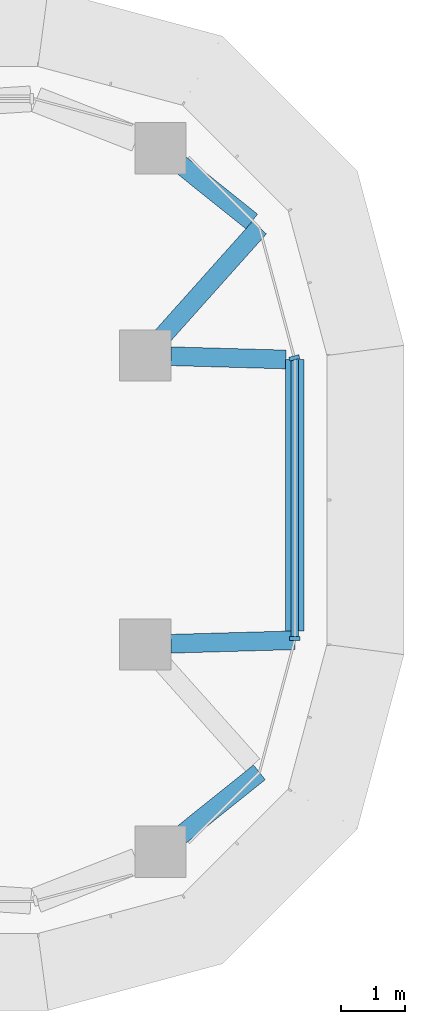
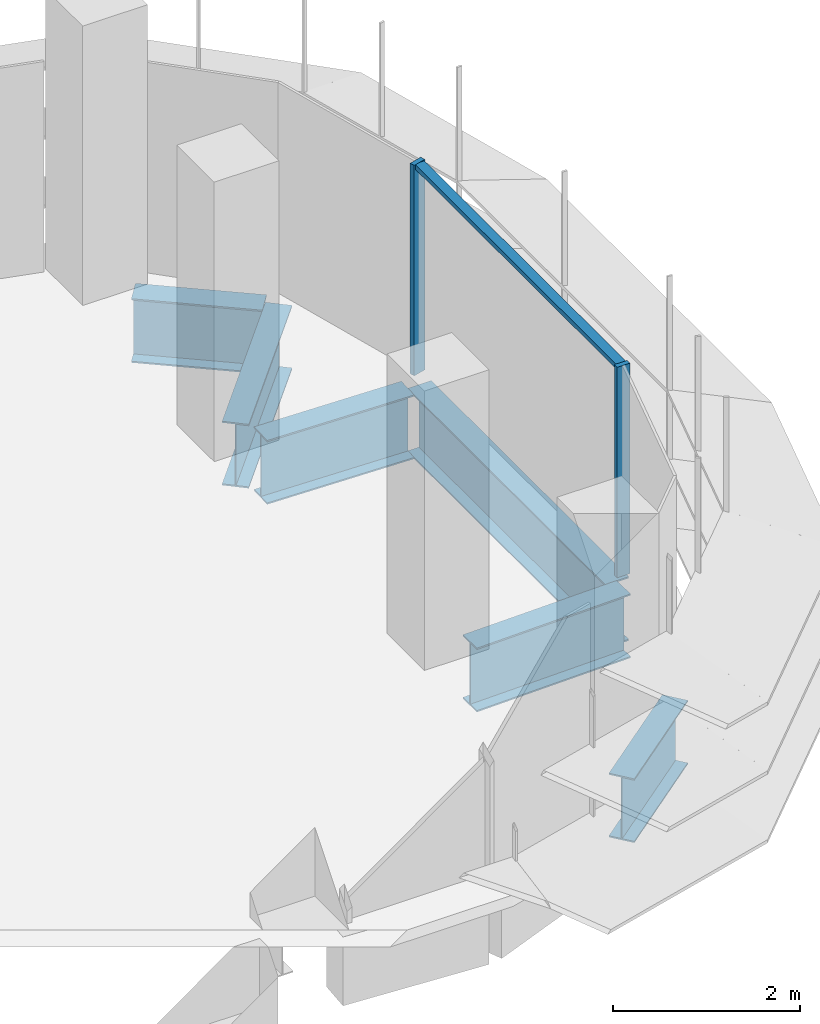
# One storey, part 10 of 20: 6 beams, 3 members, 2 elements without a shape of their own.
"""IFC4 building model written with IfcOpenShell, lengths in metres."""

from ifc_helpers import new_model, si_unit, direction, frame, origin, origin_2d, place, context, subcontext, project, spatial, polyline, i_section, outline, extrude, source, transform, mapped, material, material_profile, profile_set, type_object, element, aggregate, save


model = new_model("IFC4")

# Units and contexts
model_context = context("Model", 3, precision=1e-05, world=origin(), true_north=direction((0.0, 1.0)))
body_context = subcontext(model_context, "Body", "Model", "MODEL_VIEW")
ifc_project = project(units=[si_unit("LENGTHUNIT", "METRE"), si_unit("AREAUNIT", "SQUARE_METRE"), si_unit("VOLUMEUNIT", "CUBIC_METRE"), si_unit("PLANEANGLEUNIT", "RADIAN"), si_unit("MASSUNIT", "GRAM", prefix="KILO")], contexts=[model_context])

# Site, building, storey
site_placement = place(None, origin())
site = spatial("IfcSite", under=ifc_project, at=site_placement, CompositionType="ELEMENT")
building_placement = place(site_placement, origin())
building = spatial("IfcBuilding", under=site, at=building_placement, Name="Zarbagh Exchange Tower", CompositionType="ELEMENT")
storey_placement = place(building_placement, frame((0.0, 0.0, 163.800048828125)))
storey = spatial("IfcBuildingStorey", under=building, at=storey_placement, Name="L39", CompositionType="ELEMENT", Elevation=163.800048828125)

# Beams
ifc_material_1 = material(Name="Steel ASTM A992 Gr 50", Category="steel")
ifc_material_profile = material_profile(ifc_material_1, i_section(OverallWidth=0.2919921875, OverallDepth=0.835693359375, WebThickness=0.013916015625, FlangeThickness=0.018798828125, at=origin_2d()), Name="W33X118")
ifc_profile_set = profile_set([ifc_material_profile], Name="Steel ASTM A992 Gr 50")
beam_type = type_object("IfcBeamType", Name="Floor girder W33X118", PredefinedType="BEAM", material=ifc_profile_set)
beam_1_placement = place(storey_placement, frame((29.22021484375, 5.22509765625, -0.56787109375), z_axis=(0.780533236132, -0.625114283387, 0.0), x_axis=(0.625114283387, 0.780533236132, 0.0)))
element("IfcBeam", 1, at=beam_1_placement, inside=storey, type_object=beam_type, Name="Steel girder", PredefinedType="BEAM", context=body_context, shape_type="SweptSolid", body=[
    extrude(i_section(OverallWidth=0.2919921875, OverallDepth=0.835693359375, WebThickness=0.013916015625, FlangeThickness=0.018798828125, at=origin_2d()), origin(), (0.0, 0.0, 1.0), 1.420166015625),
])
beam_2_placement = place(storey_placement, frame((30.44873046875, 4.2412109375, -0.56787109375), z_axis=(-0.666191013206, -0.745781156857, 0.0), x_axis=(0.745781156857, -0.666191013206, 0.0)))
element("IfcBeam", 2, at=beam_2_placement, inside=storey, type_object=beam_type, Name="Steel girder", PredefinedType="BEAM", context=body_context, shape_type="SweptSolid", body=[
    extrude(i_section(OverallWidth=0.2919921875, OverallDepth=0.835693359375, WebThickness=0.013916015625, FlangeThickness=0.018798828125, at=origin_2d()), origin(), (0.0, 0.0, 1.0), 2.27001953125),
])
beam_3_placement = place(storey_placement, frame((29.06982421875, 2.23876953125, -0.56787109375), z_axis=(0.999600942558, -0.028248108547, 0.0), x_axis=(0.028248108547, 0.999600942558, 0.0)))
element("IfcBeam", 3, at=beam_3_placement, inside=storey, type_object=beam_type, Name="Steel girder", PredefinedType="BEAM", context=body_context, shape_type="SweptSolid", body=[
    extrude(i_section(OverallWidth=0.2919921875, OverallDepth=0.835693359375, WebThickness=0.013916015625, FlangeThickness=0.018798828125, at=origin_2d()), origin(), (0.0, 0.0, 1.0), 1.7890625),
])
beam_4_placement = place(storey_placement, frame((31.0, 2.18408203125, -0.56787109375), z_axis=(0.0, -1.0, 0.0), x_axis=(1.0, 0.0, 0.0)))
element("IfcBeam", 4, at=beam_4_placement, inside=storey, type_object=beam_type, Name="Steel girder", PredefinedType="BEAM", context=body_context, shape_type="SweptSolid", body=[
    extrude(i_section(OverallWidth=0.2919921875, OverallDepth=0.835693359375, WebThickness=0.013916015625, FlangeThickness=0.018798828125, at=origin_2d()), origin(), (0.0, 0.0, 1.0), 4.226318359375),
])
beam_5_placement = place(storey_placement, frame((31.0, -2.18408203125, -0.56787109375), z_axis=(-0.999598864551, -0.028321546377, 0.0), x_axis=(0.028321546377, -0.999598864551, 0.0)))
element("IfcBeam", 5, at=beam_5_placement, inside=storey, type_object=beam_type, Name="Steel girder", PredefinedType="BEAM", context=body_context, shape_type="SweptSolid", body=[
    extrude(i_section(OverallWidth=0.2919921875, OverallDepth=0.835693359375, WebThickness=0.013916015625, FlangeThickness=0.018798828125, at=origin_2d()), origin(), (0.0, 0.0, 1.0), 1.930908203125),
])
beam_6_placement = place(storey_placement, frame((30.44873046875, -4.2412109375, -0.56787109375), z_axis=(-0.780535770033, -0.625111119482, 0.0), x_axis=(0.625111119482, -0.780535770033, 0.0)))
element("IfcBeam", 6, at=beam_6_placement, inside=storey, type_object=beam_type, Name="Steel girder", PredefinedType="BEAM", context=body_context, shape_type="SweptSolid", body=[
    extrude(i_section(OverallWidth=0.2919921875, OverallDepth=0.835693359375, WebThickness=0.013916015625, FlangeThickness=0.018798828125, at=origin_2d()), origin(), (0.0, 0.0, 1.0), 1.573974609375),
])

# Curtain wall, member
ifc_material_2 = material(Name="Anodised aluminium frame and glazing", Category="aluminium")
curtain_wall_type = type_object("IfcCurtainWallType", Name="CWB Ribbon glazing, upper zones", PredefinedType="NOTDEFINED", material=ifc_material_2)
curtain_wall_1_placement = place(storey_placement, origin())
curtain_wall_1 = element("IfcCurtainWall", 7, at=curtain_wall_1_placement, inside=storey, type_object=curtain_wall_type, Name="CWB12 curtain wall", PredefinedType="NOTDEFINED")
ifc_material_3 = material(Name="Anodised aluminium frame", Category="aluminium")
member_type_1 = type_object("IfcMemberType", Name="MUB Mullion, anodised aluminium frame", PredefinedType="MULLION", material=ifc_material_3)
shared_shape_1 = source(origin(), body_context, "Body", "SweptSolid", [
    extrude(outline(polyline([(0.0, -0.080078125), (0.06005859375, -0.080078125), (0.06005859375, 0.080078125), (0.0, 0.080078125), (0.0, -0.080078125)])), origin(), (0.0, 0.0, 1.0), 2.75),
])
placement = place(storey_placement, origin())
member_1 = element("IfcMember", 8, at=placement, type_object=member_type_1, Name="CWB12 mullion 1.1", PredefinedType="MULLION", context=body_context, shape_type="MappedRepresentation", body=[
    mapped(shared_shape_1, transform((31.0, -2.18408203125, 0.0), x_axis=(0.0, 1.0, 0.0), y_axis=(-1.0, 0.0, 0.0), z_axis=(0.0, 0.0, 1.0))),
])

curtain_wall_2_placement = place(storey_placement, origin())
curtain_wall_2 = element("IfcCurtainWall", 9, at=curtain_wall_2_placement, inside=storey, type_object=curtain_wall_type, Name="CWB13 curtain wall", PredefinedType="NOTDEFINED")
member_2 = element("IfcMember", 10, at=placement, type_object=member_type_1, Name="CWB13 mullion 1.1", PredefinedType="MULLION", context=body_context, shape_type="MappedRepresentation", body=[
    mapped(shared_shape_1, transform((31.0, 2.18408203125, 0.0), x_axis=(-0.258824779902, 0.965924289636, 0.0), y_axis=(-0.965924289636, -0.258824779902, 0.0), z_axis=(0.0, 0.0, 1.0))),
])
aggregate(curtain_wall_2, [member_2])

# Member
member_type_2 = type_object("IfcMemberType", Name="TRB Transom, anodised aluminium frame", PredefinedType="USERDEFINED", material=ifc_material_3)
shared_shape_2 = source(origin(), body_context, "Body", "SweptSolid", [
    extrude(outline(polyline([(-0.06005859375, -0.06005859375), (0.0, -0.06005859375), (0.0, 0.06005859375), (-0.06005859375, 0.06005859375), (-0.06005859375, -0.06005859375)])), origin(), (0.0, 0.0, 1.0), 4.308349609375),
])
member_3 = element("IfcMember", 11, at=placement, type_object=member_type_2, Name="CWB12 transom 1.1", ObjectType="TRANSOM", PredefinedType="USERDEFINED", context=body_context, shape_type="MappedRepresentation", body=[
    mapped(shared_shape_2, transform((31.0, -2.124267578125, 2.75), x_axis=(0.0, 0.0, 1.0), y_axis=(1.0, 0.0, 0.0), z_axis=(0.0, 1.0, 0.0))),
])

aggregate(curtain_wall_1, [member_1, member_3])

save(model, "model.ifc")
